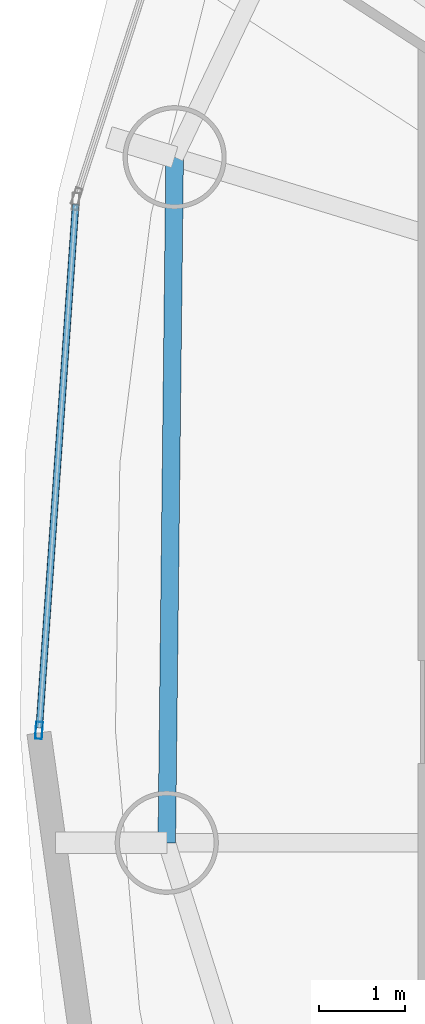
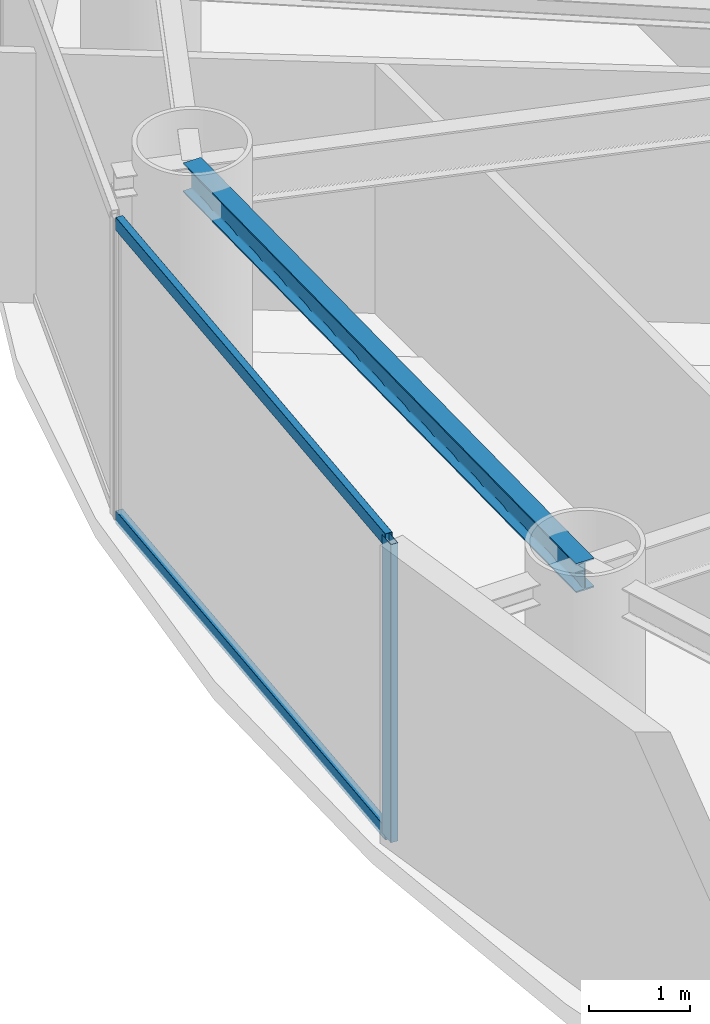
# One storey, part 6 of 22: 3 members, 1 beam, 1 element without a shape of its own.
"""IFC4 building model written with IfcOpenShell, lengths in metres."""

from ifc_helpers import new_model, si_unit, direction, frame, origin, origin_2d, place, context, subcontext, project, spatial, hollow_rectangle, i_section, extrude, material, layer, layer_set, material_profile, profile_set, type_object, element, aggregate, save


model = new_model("IFC4")

# Units and contexts
model_context = context("Model", 3, precision=1e-05, world=origin(), true_north=direction((0.0, 1.0)))
body_context = subcontext(model_context, "Body", "Model", "MODEL_VIEW")
ifc_project = project(units=[si_unit("LENGTHUNIT", "METRE"), si_unit("AREAUNIT", "SQUARE_METRE"), si_unit("VOLUMEUNIT", "CUBIC_METRE"), si_unit("PLANEANGLEUNIT", "RADIAN"), si_unit("MASSUNIT", "GRAM", prefix="KILO")], contexts=[model_context])

# Site, building, storey
site_placement = place(None, origin())
site = spatial("IfcSite", under=ifc_project, at=site_placement, CompositionType="ELEMENT")
building_placement = place(site_placement, origin())
building = spatial("IfcBuilding", under=site, at=building_placement, Name="Bramvorn Convention Spire", CompositionType="ELEMENT")
storey_placement = place(building_placement, frame((0.0, 0.0, 221.25)))
storey = spatial("IfcBuildingStorey", under=building, at=storey_placement, Name="L56", CompositionType="ELEMENT", Elevation=221.25)

# Beam
ifc_material_1 = material(Name="Steel CSA G40.21 Grade 350 (350W)", Category="steel")
ifc_material_profile_1 = material_profile(ifc_material_1, i_section(OverallWidth=0.205078125, OverallDepth=0.35400390625, WebThickness=0.009521484375, FlangeThickness=0.016845703125, FilletRadius=0.014892578125, at=origin_2d()))
ifc_profile_set_1 = profile_set([ifc_material_profile_1], Name="Steel CSA G40.21 Grade 350 (350W) - W360X79")
beam_type = type_object("IfcBeamType", Name="BM-W360X79", PredefinedType="JOIST", material=ifc_profile_set_1)
beam_placement = place(storey_placement, frame((17.136962890625, 36.380615234375, 3.443115234375), z_axis=(-0.011480475367, -0.999934097171, 0.0), x_axis=(0.999934097171, -0.011480475367, 0.0)))
element("IfcBeam", 1, at=beam_placement, inside=storey, type_object=beam_type, Name="L56 mega-column ring beam 10", PredefinedType="JOIST", context=body_context, shape_type="SweptSolid", body=[
    extrude(i_section(OverallWidth=0.205078125, OverallDepth=0.35400390625, WebThickness=0.009521484375, FlangeThickness=0.016845703125, FilletRadius=0.014892578125, at=origin_2d()), origin(), (0.0, 0.0, 1.0), 7.974609375),
])

# Curtain wall, members
ifc_material_2 = material(Name="Anodised Bronze Unitised Curtain Wall", Category="aluminium")
ifc_layer = layer(ifc_material_2, 0.179931640625)
ifc_layer_set = layer_set([ifc_layer], Name="Anodised Bronze Unitised Curtain Wall - CW-OFF-FRIT")
curtain_wall_type = type_object("IfcCurtainWallType", Name="CW-OFF-FRIT", PredefinedType="USERDEFINED", material=ifc_layer_set)
curtain_wall_placement = place(storey_placement, origin())
curtain_wall = element("IfcCurtainWall", 2, at=curtain_wall_placement, inside=storey, type_object=curtain_wall_type, Name="L56 fritted glass curtain wall 15", ObjectType="UNITISED CURTAIN WALL", PredefinedType="USERDEFINED")
ifc_material_3 = material(Name="Anodised Bronze Aluminium 6063-T6", Category="aluminium")
ifc_material_profile_2 = material_profile(ifc_material_3, hollow_rectangle(XDim=0.080078125, YDim=0.199951171875, WallThickness=0.00390625, InnerFilletRadius=0.0009765625, OuterFilletRadius=0.00390625, at=origin_2d()))
ifc_profile_set_2 = profile_set([ifc_material_profile_2], Name="Anodised Bronze Aluminium 6063-T6 - CWM80X200")
member_type_1 = type_object("IfcMemberType", Name="CW-MUL-180", PredefinedType="MULLION", material=ifc_profile_set_2)
member_1_placement = place(storey_placement, frame((15.56005859375, 29.7138671875, 0.0), z_axis=(0.0, 0.0, 1.0), x_axis=(-0.997590169881, 0.069381935371, 0.0)))
member_1 = element("IfcMember", 3, at=member_1_placement, type_object=member_type_1, Name="CW3 mullion 1", PredefinedType="MULLION", context=body_context, shape_type="SweptSolid", body=[
    extrude(hollow_rectangle(XDim=0.080078125, YDim=0.199951171875, WallThickness=0.00390625, InnerFilletRadius=0.0009765625, OuterFilletRadius=0.00390625, at=origin_2d()), origin(), (0.0, 0.0, 1.0), 3.6201171875),
])
ifc_material_profile_3 = material_profile(ifc_material_3, hollow_rectangle(XDim=0.080078125, YDim=0.159912109375, WallThickness=0.00390625, InnerFilletRadius=0.0009765625, OuterFilletRadius=0.00390625, at=origin_2d()))
ifc_profile_set_3 = profile_set([ifc_material_profile_3], Name="Anodised Bronze Aluminium 6063-T6 - CWT80X160")
member_type_2 = type_object("IfcMemberType", Name="CW-TRN-150", PredefinedType="USERDEFINED", material=ifc_profile_set_3)
member_2_placement = place(storey_placement, frame((15.56201171875, 29.74365234375, 0.030029296875), z_axis=(0.069405805243, 0.997588509456, 0.0), x_axis=(-0.997588509456, 0.069405805243, 0.0)))
member_2 = element("IfcMember", 4, at=member_2_placement, type_object=member_type_2, Name="CW3 transom 1.1", ObjectType="TRANSOM", PredefinedType="USERDEFINED", context=body_context, shape_type="SweptSolid", body=[
    extrude(hollow_rectangle(XDim=0.080078125, YDim=0.159912109375, WallThickness=0.00390625, InnerFilletRadius=0.0009765625, OuterFilletRadius=0.00390625, at=origin_2d()), origin(), (0.0, 0.0, 1.0), 6.1064453125),
])
member_3_placement = place(storey_placement, frame((15.56201171875, 29.74365234375, 3.590087890625), z_axis=(0.069405805243, 0.997588509456, 0.0), x_axis=(-0.997588509456, 0.069405805243, 0.0)))
member_3 = element("IfcMember", 5, at=member_3_placement, type_object=member_type_2, Name="CW3 transom 1.2", ObjectType="TRANSOM", PredefinedType="USERDEFINED", context=body_context, shape_type="SweptSolid", body=[
    extrude(hollow_rectangle(XDim=0.080078125, YDim=0.159912109375, WallThickness=0.00390625, InnerFilletRadius=0.0009765625, OuterFilletRadius=0.00390625, at=origin_2d()), origin(), (0.0, 0.0, 1.0), 6.1064453125),
])
aggregate(curtain_wall, [member_1, member_2, member_3])

save(model, "model.ifc")
